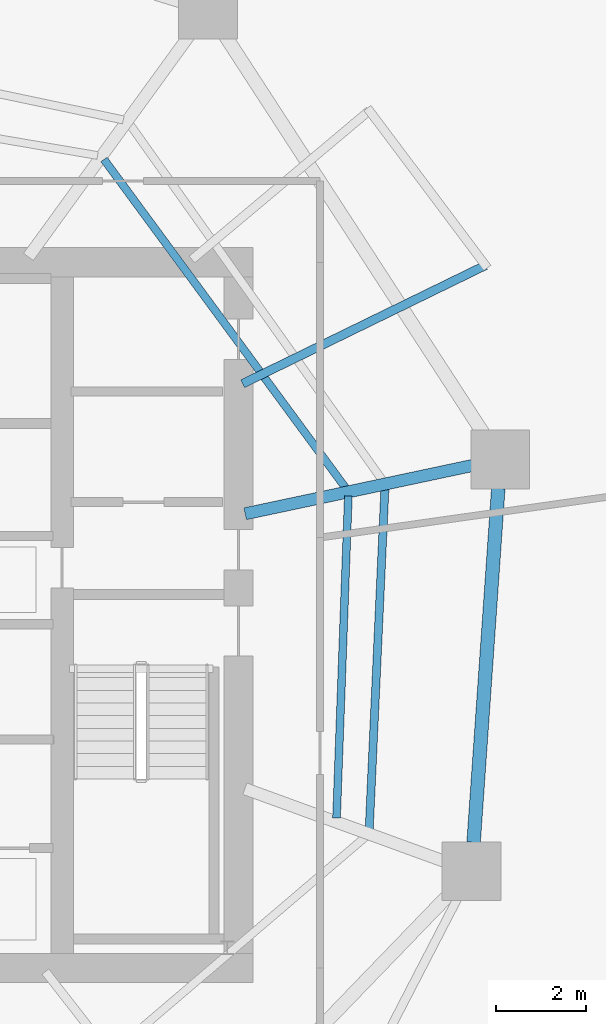
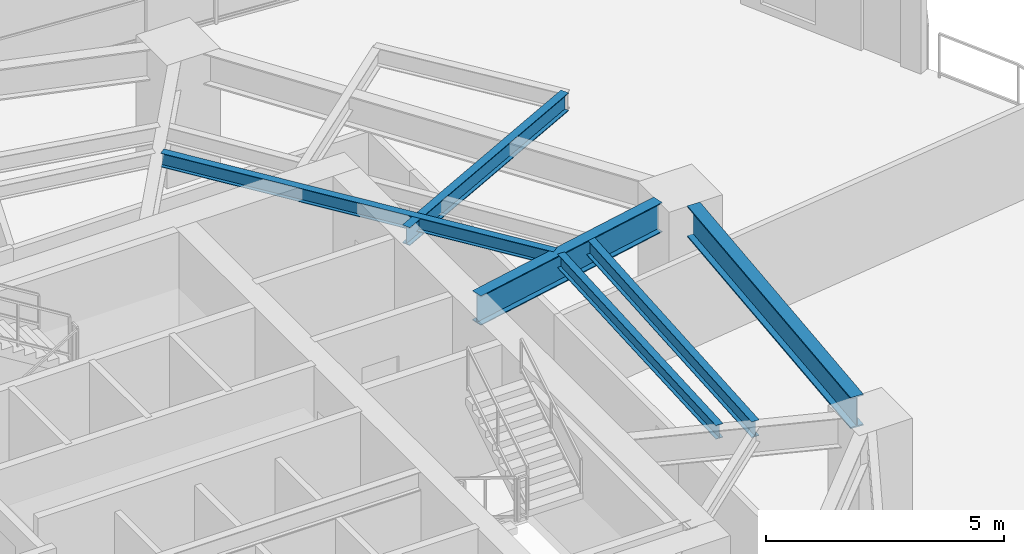
# One storey, part 14 of 30: 6 beams.
"""IFC4 building model written with IfcOpenShell, lengths in metres."""

from ifc_helpers import new_model, si_unit, direction, frame, origin, origin_2d, place, context, subcontext, project, spatial, i_section, extrude, material, material_profile, profile_set, type_object, element, save


model = new_model("IFC4")

# Units and contexts
model_context = context("Model", 3, precision=1e-05, world=origin(), true_north=direction((0.0, 1.0)))
body_context = subcontext(model_context, "Body", "Model", "MODEL_VIEW")
ifc_project = project(units=[si_unit("LENGTHUNIT", "METRE"), si_unit("AREAUNIT", "SQUARE_METRE"), si_unit("VOLUMEUNIT", "CUBIC_METRE"), si_unit("PLANEANGLEUNIT", "RADIAN"), si_unit("MASSUNIT", "GRAM", prefix="KILO")], contexts=[model_context])

# Site, building, storey
site_placement = place(None, origin())
site = spatial("IfcSite", under=ifc_project, at=site_placement, CompositionType="ELEMENT")
building_placement = place(site_placement, origin())
building = spatial("IfcBuilding", under=site, at=building_placement, Name="Qarnah Convention Tower", CompositionType="ELEMENT")
storey_placement = place(building_placement, frame((0.0, 0.0, 51.14990234375)))
storey = spatial("IfcBuildingStorey", under=building, at=storey_placement, Name="L12", CompositionType="ELEMENT", Elevation=51.14990234375)

# Beams
ifc_material = material(Name="Structural steel S355JR", Category="steel")
ifc_material_profile_1 = material_profile(ifc_material, i_section(OverallWidth=0.19189453125, OverallDepth=0.464111328125, WebThickness=0.010986328125, FlangeThickness=0.01806640625, at=origin_2d()), Name="W460X89")
ifc_profile_set_1 = profile_set([ifc_material_profile_1], Name="Structural steel S355JR")
beam_type_1 = type_object("IfcBeamType", Name="BM-CANT-W460A", PredefinedType="BEAM", material=ifc_profile_set_1)
beam_1_placement = place(storey_placement, frame((47.68994140625, 31.51611328125, 2.93798828125), z_axis=(0.898845814475, 0.438264990388, 0.0), x_axis=(-0.438264990388, 0.898845814475, 0.0)))
element("IfcBeam", 1, at=beam_1_placement, inside=storey, type_object=beam_type_1, Name="L12 beam BM-L12-CNT-01-1", PredefinedType="BEAM", context=body_context, shape_type="SweptSolid", body=[
    extrude(i_section(OverallWidth=0.19189453125, OverallDepth=0.464111328125, WebThickness=0.010986328125, FlangeThickness=0.01806640625, at=origin_2d()), origin(), (0.0, 0.0, 1.0), 5.973388671875),
])
ifc_material_profile_2 = material_profile(ifc_material, i_section(OverallWidth=0.172119140625, OverallDepth=0.35595703125, WebThickness=0.007080078125, FlangeThickness=0.011962890625, at=origin_2d()), Name="W360X51")
ifc_profile_set_2 = profile_set([ifc_material_profile_2], Name="Structural steel S355JR")
beam_type_2 = type_object("IfcBeamType", Name="BM-JST-W360", PredefinedType="JOIST", material=ifc_profile_set_2)
beam_2_placement = place(storey_placement, frame((49.97802734375, 29.199951171875, 2.9921875), z_axis=(-0.59258291675, 0.805509457906, 0.0), x_axis=(-0.805509457906, -0.59258291675, 0.0)))
element("IfcBeam", 2, at=beam_2_placement, inside=storey, type_object=beam_type_2, Name="L12 joist BM-L12-IJST-01", PredefinedType="JOIST", context=body_context, shape_type="SweptSolid", body=[
    extrude(i_section(OverallWidth=0.172119140625, OverallDepth=0.35595703125, WebThickness=0.007080078125, FlangeThickness=0.011962890625, at=origin_2d()), origin(), (0.0, 0.0, 1.0), 9.03173828125),
])
beam_3_placement = place(storey_placement, frame((49.76708984375, 21.91796875, 2.9921875), z_axis=(0.036630180467, 0.999328889745, 0.0), x_axis=(-0.999328889745, 0.036630180467, 0.0)))
element("IfcBeam", 3, at=beam_3_placement, inside=storey, type_object=beam_type_2, Name="L12 joist BM-L12-IJST-09", PredefinedType="JOIST", context=body_context, shape_type="SweptSolid", body=[
    extrude(i_section(OverallWidth=0.172119140625, OverallDepth=0.35595703125, WebThickness=0.007080078125, FlangeThickness=0.011962890625, at=origin_2d()), origin(), (0.0, 0.0, 1.0), 7.125),
])
ifc_material_profile_3 = material_profile(ifc_material, i_section(OverallWidth=0.177978515625, OverallDepth=0.407958984375, WebThickness=0.008056640625, FlangeThickness=0.012939453125, at=origin_2d()), Name="W410X60")
ifc_profile_set_3 = profile_set([ifc_material_profile_3], Name="Structural steel S355JR")
beam_type_3 = type_object("IfcBeamType", Name="BM-JST-W410", PredefinedType="JOIST", material=ifc_profile_set_3)
beam_4_placement = place(storey_placement, frame((50.489013671875, 21.655029296875, 2.966064453125), z_axis=(0.046000694975, 0.998941407722, 0.0), x_axis=(-0.998941407722, 0.046000694975, 0.0)))
element("IfcBeam", 4, at=beam_4_placement, inside=storey, type_object=beam_type_3, Name="L12 joist BM-L12-SJST-09", PredefinedType="JOIST", context=body_context, shape_type="SweptSolid", body=[
    extrude(i_section(OverallWidth=0.177978515625, OverallDepth=0.407958984375, WebThickness=0.008056640625, FlangeThickness=0.012939453125, at=origin_2d()), origin(), (0.0, 0.0, 1.0), 7.56298828125),
])
ifc_material_profile_4 = material_profile(ifc_material, i_section(OverallWidth=0.26806640625, OverallDepth=0.760009765625, WebThickness=0.014892578125, FlangeThickness=0.02197265625, at=origin_2d()), Name="W760X185")
ifc_profile_set_4 = profile_set([ifc_material_profile_4], Name="Structural steel S355JR")
beam_type_4 = type_object("IfcBeamType", Name="BM-RAD-W760", PredefinedType="BEAM", material=ifc_profile_set_4)
beam_5_placement = place(storey_placement, frame((47.7470703125, 28.64208984375, 2.7900390625), z_axis=(0.978155710431, 0.207873534031, 0.0), x_axis=(-0.207873534031, 0.978155710431, 0.0)))
element("IfcBeam", 5, at=beam_5_placement, inside=storey, type_object=beam_type_4, Name="L12 beam BM-L12-RAD-01", PredefinedType="BEAM", context=body_context, shape_type="SweptSolid", body=[
    extrude(i_section(OverallWidth=0.26806640625, OverallDepth=0.760009765625, WebThickness=0.014892578125, FlangeThickness=0.02197265625, at=origin_2d()), origin(), (0.0, 0.0, 1.0), 5.13720703125),
])
ifc_material_profile_5 = material_profile(ifc_material, i_section(OverallWidth=0.300048828125, OverallDepth=0.800048828125, WebThickness=0.01806640625, FlangeThickness=0.032958984375, at=origin_2d()), Name="HEB800")
ifc_profile_set_5 = profile_set([ifc_material_profile_5], Name="Structural steel S355JR")
beam_type_5 = type_object("IfcBeamType", Name="BM-RING-HEB800", PredefinedType="BEAM", material=ifc_profile_set_5)
beam_6_placement = place(storey_placement, frame((52.797119140625, 21.3779296875, 2.77001953125), z_axis=(0.069594661237, 0.997575352105, 0.0), x_axis=(-0.997575352105, 0.069594661237, 0.0)))
element("IfcBeam", 6, at=beam_6_placement, inside=storey, type_object=beam_type_5, Name="L12 beam BM-L12-SPN-09", PredefinedType="BEAM", context=body_context, shape_type="SweptSolid", body=[
    extrude(i_section(OverallWidth=0.300048828125, OverallDepth=0.800048828125, WebThickness=0.01806640625, FlangeThickness=0.032958984375, at=origin_2d()), origin(), (0.0, 0.0, 1.0), 7.843994140625),
])

save(model, "model.ifc")
